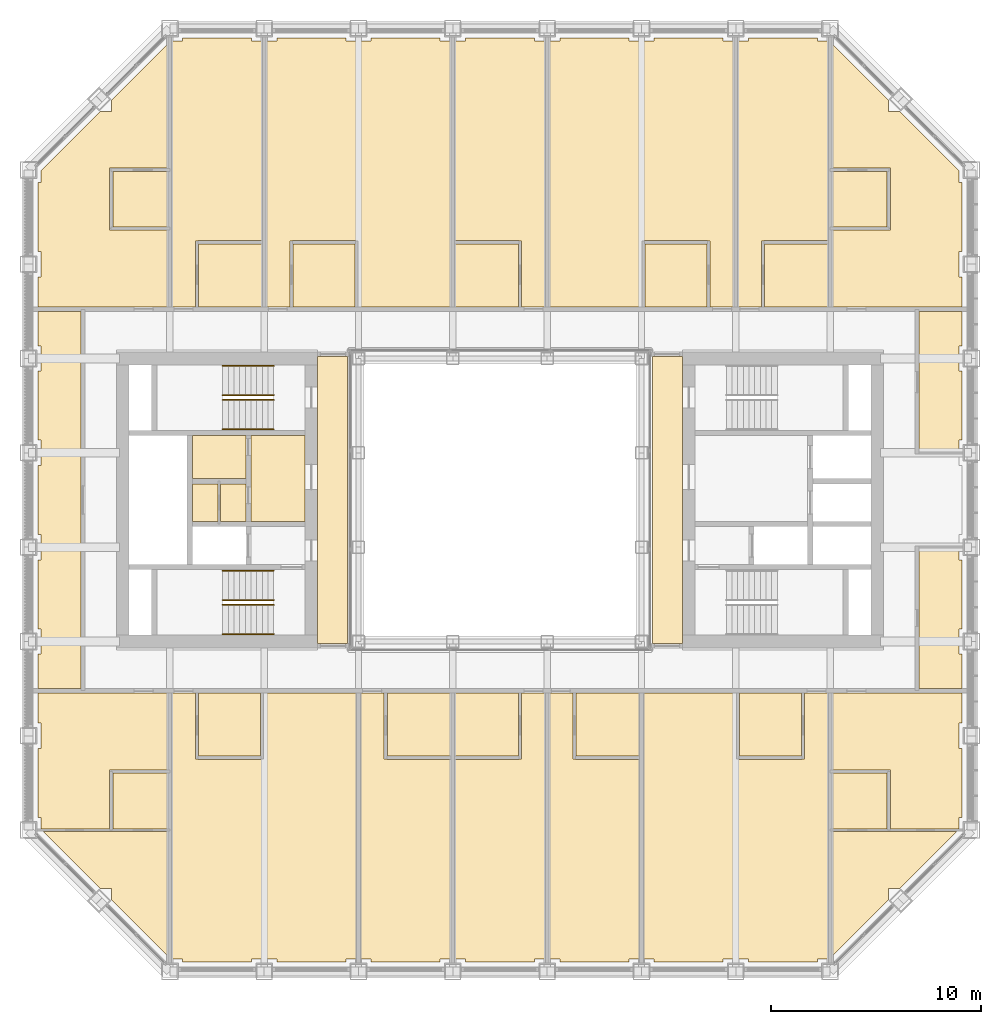
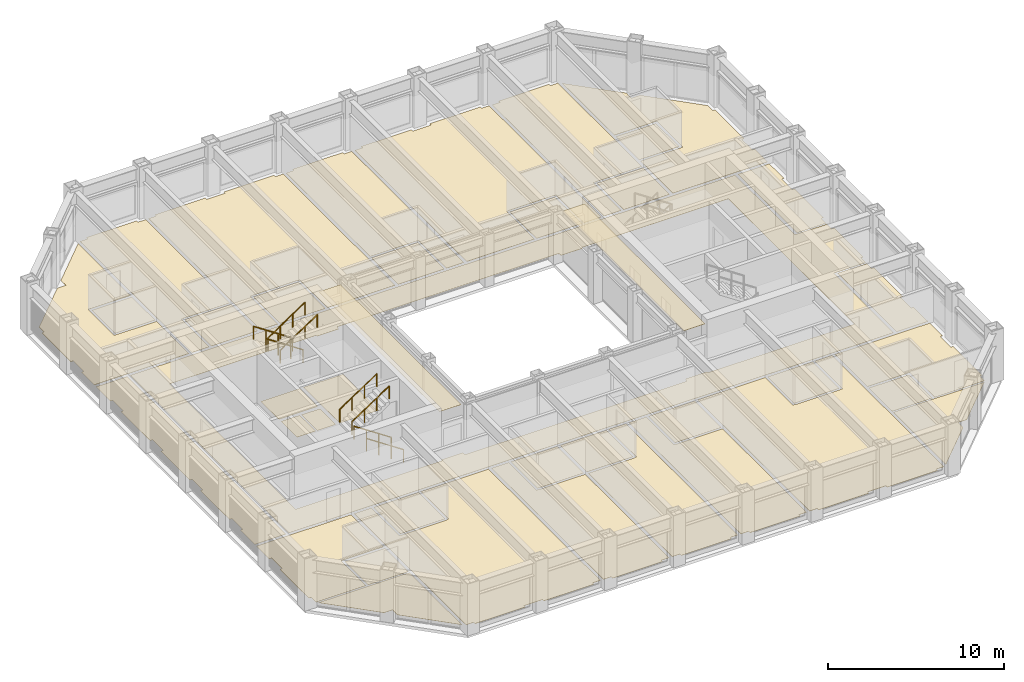
# One storey, part 15 of 17: 8 railings, 5 coverings.
"""IFC4 building model written with IfcOpenShell, lengths in metres."""

from ifc_helpers import new_model, si_unit, direction, frame, origin, origin_2d, place, context, subcontext, project, spatial, line, indexed_curve, circle, outline, extrude, material, layer, layer_set, type_object, element, save


model = new_model("IFC4")

# Units and contexts
model_context = context("Model", 3, precision=1e-05, world=origin(), true_north=direction((0.0, 1.0)))
body_context = subcontext(model_context, "Body", "Model", "MODEL_VIEW")
ifc_project = project(units=[si_unit("LENGTHUNIT", "METRE"), si_unit("AREAUNIT", "SQUARE_METRE"), si_unit("VOLUMEUNIT", "CUBIC_METRE"), si_unit("PLANEANGLEUNIT", "RADIAN"), si_unit("MASSUNIT", "GRAM", prefix="KILO")], contexts=[model_context])

# Site, building, storey
site_placement = place(None, origin())
site = spatial("IfcSite", under=ifc_project, at=site_placement, CompositionType="ELEMENT")
building_placement = place(site_placement, origin())
building = spatial("IfcBuilding", under=site, at=building_placement, Name="Msasa Ring Tower", CompositionType="ELEMENT")
storey_placement = place(building_placement, frame((0.0, 0.0, 154.39990234375)))
storey = spatial("IfcBuildingStorey", under=building, at=storey_placement, Name="L40", CompositionType="ELEMENT", Elevation=154.39990234375)

# Coverings
ifc_material_1 = material(Name="Gypsum plasterboard on a steel suspension grid", Category="steel")
ifc_layer_1 = layer(ifc_material_1, 0.014892578125)
ifc_layer_set_1 = layer_set([ifc_layer_1], Name="C1 SUSPENDED PLASTERBOARD CEILING 15")
covering_type_1 = type_object("IfcCoveringType", Name="C1 SUSPENDED PLASTERBOARD CEILING 15", PredefinedType="CEILING", material=ifc_layer_set_1)
covering_1_placement = place(storey_placement, frame((0.0, 0.0, 3.2001953125)))
element("IfcCovering", 1, at=covering_1_placement, inside=storey, type_object=covering_type_1, Name="Suspended Plasterboard Ceiling 15 public rooms L40", PredefinedType="CEILING", context=body_context, shape_type="SweptSolid", body=[
    extrude(outline(indexed_curve([(-7.280029296875, 6.849609375), (-7.280029296875, -6.849609375), (-8.699462890625, -6.849609375), (-8.699462890625, 6.849609375)], segments=[line(1, 2, 3, 4, 1)], self_intersect=False)), origin(), (0.0, 0.0, 1.0), 0.014892578125),
    extrude(outline(indexed_curve([(8.699462890625, 6.849609375), (8.699462890625, -6.849609375), (7.280029296875, -6.849609375), (7.280029296875, 6.849609375)], segments=[line(1, 2, 3, 4, 1)], self_intersect=False)), origin(), (0.0, 0.0, 1.0), 0.014892578125),
])
ifc_material_2 = material(Name="Wool-blend carpet on felt underlay", Category="textile")
ifc_layer_2 = layer(ifc_material_2, 0.011962890625)
ifc_layer_set_2 = layer_set([ifc_layer_2], Name="F2 CARPET ON UNDERLAY 12")
covering_type_2 = type_object("IfcCoveringType", Name="F2 CARPET ON UNDERLAY 12", PredefinedType="FLOORING", material=ifc_layer_set_2)
covering_2_placement = place(storey_placement, origin())
element("IfcCovering", 2, at=covering_2_placement, inside=storey, type_object=covering_type_2, Name="Carpet On Underlay 12 L40", PredefinedType="FLOORING", context=body_context, shape_type="SweptSolid", body=[
    extrude(outline(indexed_curve([(-22.049560546875, -11.8505859375), (-21.8994140625, -11.8505859375), (-21.8994140625, -10.6494140625), (-22.049560546875, -10.6494140625), (-22.049560546875, -9.200439453125), (-15.8505859375, -9.200439453125), (-15.8505859375, -12.869384765625), (-18.630615234375, -12.869384765625), (-18.630615234375, -15.694580078125), (-21.8994140625, -15.694580078125), (-21.8994140625, -15.1494140625), (-22.049560546875, -15.1494140625)], segments=[line(1, 2, 3, 4, 5, 6, 7, 8, 9, 10, 11, 12, 1)], self_intersect=False)), origin(), (0.0, 0.0, 1.0), 0.01220703125),
    extrude(outline(indexed_curve([(-18.5244140625, -19.08837890625), (-18.5244140625, -18.5244140625), (-19.08837890625, -18.5244140625), (-21.807373046875, -15.805419921875), (-15.8505859375, -15.805419921875), (-15.8505859375, -21.762451171875)], segments=[line(1, 2, 3, 4, 5, 6, 1)], self_intersect=False)), origin(), (0.0, 0.0, 1.0), 0.01220703125),
    extrude(outline(indexed_curve([(19.799560546875, -2.199951171875), (19.799560546875, -8.99951171875), (-19.799560546875, -8.99951171875), (-19.799560546875, 8.99951171875), (19.799560546875, 8.99951171875), (19.799560546875, 2.199462890625), (21.8994140625, 2.199462890625), (21.8994140625, 1.6494140625), (22.049560546875, 1.6494140625), (22.049560546875, -1.6494140625), (21.8994140625, -1.6494140625), (21.8994140625, -2.199462890625)], segments=[line(1, 2, 3, 4, 5, 6, 7, 8, 9, 10, 11, 12, 1)], self_intersect=False), holes=[indexed_curve([(18.300537109375, -7.150390625), (18.300537109375, 7.150390625), (8.699462890625, 7.150390625), (8.699462890625, 7.050537109375), (7.280029296875, 7.050537109375), (7.280517578125, 7.23046875), (7.22998046875, 7.23046875), (7.22998046875, 7.280029296875), (-7.22998046875, 7.280029296875), (-7.22998046875, 7.23046875), (-7.280517578125, 7.23046875), (-7.280029296875, 7.050537109375), (-8.699462890625, 7.050537109375), (-8.699462890625, 7.150390625), (-18.300537109375, 7.150390625), (-18.300537109375, -7.150390625), (-8.699462890625, -7.150390625), (-8.699462890625, -7.050537109375), (-7.280029296875, -7.050537109375), (-7.280517578125, -7.23046875), (-7.22998046875, -7.23046875), (-7.22998046875, -7.280029296875), (7.22998046875, -7.280029296875), (7.22998046875, -7.23046875), (7.280517578125, -7.23046875), (7.280029296875, -7.050537109375), (8.699462890625, -7.050537109375), (8.699462890625, -7.150390625)], segments=[line(1, 2, 3, 4, 5, 6, 7, 8, 9, 10, 11, 12, 13, 14, 15, 16, 17, 18, 19, 20, 21, 22, 23, 24, 25, 26, 27, 28, 1)], self_intersect=False)]), origin(), (0.0, 0.0, 1.0), 0.01220703125),
    extrude(outline(indexed_curve([(-15.6494140625, 9.200439453125), (-15.6494140625, 21.8994140625), (-15.1494140625, 21.8994140625), (-15.1494140625, 22.049560546875), (-11.8505859375, 22.049560546875), (-11.8505859375, 21.8994140625), (-11.3505859375, 21.8994140625), (-11.3505859375, 12.37548828125), (-14.39990234375, 12.37548828125), (-14.39990234375, 12.3505859375), (-14.525390625, 12.35009765625), (-14.525390625, 9.200439453125)], segments=[line(1, 2, 3, 4, 5, 6, 7, 8, 9, 10, 11, 12, 1)], self_intersect=False)), origin(), (0.0, 0.0, 1.0), 0.01220703125),
    extrude(outline(indexed_curve([(-14.674560546875, 0.7744140625), (-13.45556640625, 0.7744140625), (-13.45556640625, -1.0244140625), (-14.674560546875, -1.0244140625)], segments=[line(1, 2, 3, 4, 1)], self_intersect=False)), origin(), (0.0, 0.0, 1.0), 0.01220703125),
    extrude(outline(indexed_curve([(-6.6494140625, -9.200439453125), (-5.525390625, -9.200439453125), (-5.525390625, -12.35009765625), (-5.39990234375, -12.3505859375), (-5.39990234375, -12.37548828125), (-2.3505859375, -12.37548828125), (-2.3505859375, -21.8994140625), (-2.8505859375, -21.8994140625), (-2.8505859375, -22.049560546875), (-6.1494140625, -22.049560546875), (-6.1494140625, -21.8994140625), (-6.6494140625, -21.8994140625)], segments=[line(1, 2, 3, 4, 5, 6, 7, 8, 9, 10, 11, 12, 1)], self_intersect=False)), origin(), (0.0, 0.0, 1.0), 0.01220703125),
    extrude(outline(indexed_curve([(2.1494140625, -21.8994140625), (1.6494140625, -21.8994140625), (1.6494140625, -22.049560546875), (-1.6494140625, -22.049560546875), (-1.6494140625, -21.8994140625), (-2.1494140625, -21.8994140625), (-2.1494140625, -12.37548828125), (0.89990234375, -12.37548828125), (0.89990234375, -12.3505859375), (1.025390625, -12.35009765625), (1.025390625, -9.200439453125), (2.1494140625, -9.200439453125)], segments=[line(1, 2, 3, 4, 5, 6, 7, 8, 9, 10, 11, 12, 1)], self_intersect=False)), origin(), (0.0, 0.0, 1.0), 0.01220703125),
    extrude(outline(indexed_curve([(2.1494140625, 9.200439453125), (1.025390625, 9.200439453125), (1.025390625, 12.35009765625), (0.89990234375, 12.3505859375), (0.89990234375, 12.37548828125), (-2.1494140625, 12.37548828125), (-2.1494140625, 21.8994140625), (-1.6494140625, 21.8994140625), (-1.6494140625, 22.049560546875), (1.6494140625, 22.049560546875), (1.6494140625, 21.8994140625), (2.1494140625, 21.8994140625)], segments=[line(1, 2, 3, 4, 5, 6, 7, 8, 9, 10, 11, 12, 1)], self_intersect=False)), origin(), (0.0, 0.0, 1.0), 0.01220703125),
    extrude(outline(indexed_curve([(2.3505859375, -9.200439453125), (3.474609375, -9.200439453125), (3.474609375, -12.35009765625), (3.60009765625, -12.3505859375), (3.60009765625, -12.37548828125), (6.6494140625, -12.37548828125), (6.6494140625, -21.8994140625), (6.1494140625, -21.8994140625), (6.1494140625, -22.049560546875), (2.8505859375, -22.049560546875), (2.8505859375, -21.8994140625), (2.3505859375, -21.8994140625)], segments=[line(1, 2, 3, 4, 5, 6, 7, 8, 9, 10, 11, 12, 1)], self_intersect=False)), origin(), (0.0, 0.0, 1.0), 0.01220703125),
    extrude(outline(indexed_curve([(11.3505859375, 9.200439453125), (11.3505859375, 21.8994140625), (11.8505859375, 21.8994140625), (11.8505859375, 22.049560546875), (15.1494140625, 22.049560546875), (15.1494140625, 21.8994140625), (15.6494140625, 21.8994140625), (15.6494140625, 12.37548828125), (12.60009765625, 12.37548828125), (12.60009765625, 12.3505859375), (12.474609375, 12.35009765625), (12.474609375, 9.200439453125)], segments=[line(1, 2, 3, 4, 5, 6, 7, 8, 9, 10, 11, 12, 1)], self_intersect=False)), origin(), (0.0, 0.0, 1.0), 0.01220703125),
    extrude(outline(indexed_curve([(19.08837890625, -18.5244140625), (18.5244140625, -18.5244140625), (18.5244140625, -19.08837890625), (15.8505859375, -21.762451171875), (15.8505859375, -15.805419921875), (21.807373046875, -15.805419921875)], segments=[line(1, 2, 3, 4, 5, 6, 1)], self_intersect=False)), origin(), (0.0, 0.0, 1.0), 0.01220703125),
    extrude(outline(indexed_curve([(15.8505859375, -12.869384765625), (15.8505859375, -9.200439453125), (22.049560546875, -9.200439453125), (22.049560546875, -10.6494140625), (21.8994140625, -10.6494140625), (21.8994140625, -11.8505859375), (22.049560546875, -11.8505859375), (22.049560546875, -15.1494140625), (21.8994140625, -15.1494140625), (21.8994140625, -15.694580078125), (18.630615234375, -15.694580078125), (18.630615234375, -12.869384765625)], segments=[line(1, 2, 3, 4, 5, 6, 7, 8, 9, 10, 11, 12, 1)], self_intersect=False)), origin(), (0.0, 0.0, 1.0), 0.01220703125),
])
ifc_material_3 = material(Name="Engineered oak boards on an acoustic underlay", Category="wood")
ifc_layer_3 = layer(ifc_material_3, 0.01806640625)
ifc_layer_set_3 = layer_set([ifc_layer_3], Name="F3 ENGINEERED TIMBER ON ACOUSTIC UNDERLAY 18")
covering_type_3 = type_object("IfcCoveringType", Name="F3 ENGINEERED TIMBER ON ACOUSTIC UNDERLAY 18", PredefinedType="FLOORING", material=ifc_layer_set_3)
covering_3_placement = place(storey_placement, origin())
element("IfcCovering", 3, at=covering_3_placement, inside=storey, type_object=covering_type_3, Name="Engineered Timber On Acoustic Underlay 18 L40", PredefinedType="FLOORING", context=body_context, shape_type="SweptSolid", body=[
    extrude(outline(indexed_curve([(-18.630615234375, 12.869384765625), (-15.8505859375, 12.869384765625), (-15.8505859375, 9.200439453125), (-22.049560546875, 9.200439453125), (-22.049560546875, 10.6494140625), (-21.8994140625, 10.6494140625), (-21.8994140625, 11.8505859375), (-22.049560546875, 11.8505859375), (-22.049560546875, 15.1494140625), (-21.8994140625, 15.1494140625), (-21.8994140625, 15.71337890625), (-19.08837890625, 18.5244140625), (-18.5244140625, 18.5244140625), (-18.5244140625, 19.08837890625), (-15.8505859375, 21.762451171875), (-15.8505859375, 15.83056640625), (-18.630615234375, 15.83056640625)], segments=[line(1, 2, 3, 4, 5, 6, 7, 8, 9, 10, 11, 12, 13, 14, 15, 16, 17, 1)], self_intersect=False)), origin(), (0.0, 0.0, 1.0), 0.01806640625),
    extrude(outline(indexed_curve([(-14.525390625, -9.200439453125), (-14.525390625, -12.35009765625), (-14.39990234375, -12.3505859375), (-14.39990234375, -12.37548828125), (-11.39990234375, -12.37548828125), (-11.39990234375, -12.3505859375), (-11.2744140625, -12.35009765625), (-11.2744140625, -9.200439453125), (-6.8505859375, -9.200439453125), (-6.8505859375, -21.8994140625), (-7.3505859375, -21.8994140625), (-7.3505859375, -22.049560546875), (-10.6494140625, -22.049560546875), (-10.6494140625, -21.8994140625), (-11.8505859375, -21.8994140625), (-11.8505859375, -22.049560546875), (-15.1494140625, -22.049560546875), (-15.1494140625, -21.8994140625), (-15.6494140625, -21.8994140625), (-15.6494140625, -9.200439453125)], segments=[line(1, 2, 3, 4, 5, 6, 7, 8, 9, 10, 11, 12, 13, 14, 15, 16, 17, 18, 19, 20, 1)], self_intersect=False)), origin(), (0.0, 0.0, 1.0), 0.01806640625),
    extrude(outline(indexed_curve([(-6.89990234375, 12.3505859375), (-6.89990234375, 12.37548828125), (-9.89990234375, 12.37548828125), (-9.89990234375, 12.3505859375), (-10.025390625, 12.35009765625), (-10.025390625, 9.200439453125), (-11.1494140625, 9.200439453125), (-11.1494140625, 21.8994140625), (-10.6494140625, 21.8994140625), (-10.6494140625, 22.049560546875), (-7.3505859375, 22.049560546875), (-7.3505859375, 21.8994140625), (-6.1494140625, 21.8994140625), (-6.1494140625, 22.049560546875), (-2.8505859375, 22.049560546875), (-2.8505859375, 21.8994140625), (-2.3505859375, 21.8994140625), (-2.3505859375, 9.200439453125), (-6.7744140625, 9.200439453125), (-6.7744140625, 12.35009765625)], segments=[line(1, 2, 3, 4, 5, 6, 7, 8, 9, 10, 11, 12, 13, 14, 15, 16, 17, 18, 19, 20, 1)], self_intersect=False)), origin(), (0.0, 0.0, 1.0), 0.01806640625),
    extrude(outline(indexed_curve([(9.89990234375, 12.3505859375), (9.89990234375, 12.37548828125), (6.89990234375, 12.37548828125), (6.89990234375, 12.3505859375), (6.7744140625, 12.35009765625), (6.7744140625, 9.200439453125), (2.3505859375, 9.200439453125), (2.3505859375, 21.8994140625), (2.8505859375, 21.8994140625), (2.8505859375, 22.049560546875), (6.1494140625, 22.049560546875), (6.1494140625, 21.8994140625), (7.3505859375, 21.8994140625), (7.3505859375, 22.049560546875), (10.6494140625, 22.049560546875), (10.6494140625, 21.8994140625), (11.1494140625, 21.8994140625), (11.1494140625, 9.200439453125), (10.025390625, 9.200439453125), (10.025390625, 12.35009765625)], segments=[line(1, 2, 3, 4, 5, 6, 7, 8, 9, 10, 11, 12, 13, 14, 15, 16, 17, 18, 19, 20, 1)], self_intersect=False)), origin(), (0.0, 0.0, 1.0), 0.01806640625),
    extrude(outline(indexed_curve([(11.2744140625, -12.35009765625), (11.39990234375, -12.3505859375), (11.39990234375, -12.37548828125), (14.39990234375, -12.37548828125), (14.39990234375, -12.3505859375), (14.525390625, -12.35009765625), (14.525390625, -9.200439453125), (15.6494140625, -9.200439453125), (15.6494140625, -21.8994140625), (15.1494140625, -21.8994140625), (15.1494140625, -22.049560546875), (11.8505859375, -22.049560546875), (11.8505859375, -21.8994140625), (10.6494140625, -21.8994140625), (10.6494140625, -22.049560546875), (7.3505859375, -22.049560546875), (7.3505859375, -21.8994140625), (6.8505859375, -21.8994140625), (6.8505859375, -9.200439453125), (11.2744140625, -9.200439453125)], segments=[line(1, 2, 3, 4, 5, 6, 7, 8, 9, 10, 11, 12, 13, 14, 15, 16, 17, 18, 19, 20, 1)], self_intersect=False)), origin(), (0.0, 0.0, 1.0), 0.01806640625),
    extrude(outline(indexed_curve([(15.8505859375, 15.83056640625), (15.8505859375, 21.762451171875), (18.5244140625, 19.08837890625), (18.5244140625, 18.5244140625), (19.08837890625, 18.5244140625), (21.8994140625, 15.71337890625), (21.8994140625, 15.1494140625), (22.049560546875, 15.1494140625), (22.049560546875, 11.8505859375), (21.8994140625, 11.8505859375), (21.8994140625, 10.6494140625), (22.049560546875, 10.6494140625), (22.049560546875, 9.200439453125), (15.8505859375, 9.200439453125), (15.8505859375, 12.869384765625), (18.630615234375, 12.869384765625), (18.630615234375, 15.83056640625)], segments=[line(1, 2, 3, 4, 5, 6, 7, 8, 9, 10, 11, 12, 13, 14, 15, 16, 17, 1)], self_intersect=False)), origin(), (0.0, 0.0, 1.0), 0.01806640625),
])
ifc_material_4 = material(Name="Porcelain floor tiles in adhesive", Category="ceramic")
ifc_layer_4 = layer(ifc_material_4, 0.010009765625)
ifc_layer_set_4 = layer_set([ifc_layer_4], Name="F4 PORCELAIN TILE ON ADHESIVE 10")
covering_type_4 = type_object("IfcCoveringType", Name="F4 PORCELAIN TILE ON ADHESIVE 10", PredefinedType="FLOORING", material=ifc_layer_set_4)
covering_4_placement = place(storey_placement, origin())
element("IfcCovering", 4, at=covering_4_placement, inside=storey, type_object=covering_type_4, Name="Porcelain Tile On Adhesive 10 L40", PredefinedType="FLOORING", context=body_context, shape_type="SweptSolid", body=[
    extrude(outline(indexed_curve([(-18.469482421875, -13.030517578125), (-15.8505859375, -13.030517578125), (-15.8505859375, -15.694580078125), (-18.469482421875, -15.694580078125)], segments=[line(1, 2, 3, 4, 1)], self_intersect=False)), origin(), (0.0, 0.0, 1.0), 0.010009765625),
    extrude(outline(indexed_curve([(-15.8505859375, 15.66943359375), (-15.8505859375, 13.030517578125), (-18.469482421875, 13.030517578125), (-18.469482421875, 15.66943359375)], segments=[line(1, 2, 3, 4, 1)], self_intersect=False)), origin(), (0.0, 0.0, 1.0), 0.010009765625),
    extrude(outline(indexed_curve([(-11.425537109375, -9.200439453125), (-11.425537109375, -12.224609375), (-14.37451171875, -12.224609375), (-14.37451171875, -9.200439453125)], segments=[line(1, 2, 3, 4, 1)], self_intersect=False)), origin(), (0.0, 0.0, 1.0), 0.010009765625),
    extrude(outline(indexed_curve([(-11.3505859375, 9.200439453125), (-14.37451171875, 9.200439453125), (-14.37451171875, 12.224609375), (-11.3505859375, 12.224609375)], segments=[line(1, 2, 3, 4, 1)], self_intersect=False)), origin(), (0.0, 0.0, 1.0), 0.010009765625),
    extrude(outline(indexed_curve([(-9.87451171875, 9.200439453125), (-9.87451171875, 12.224609375), (-6.925537109375, 12.224609375), (-6.925537109375, 9.200439453125)], segments=[line(1, 2, 3, 4, 1)], self_intersect=False)), origin(), (0.0, 0.0, 1.0), 0.010009765625),
    extrude(outline(indexed_curve([(-2.3505859375, -9.200439453125), (-2.3505859375, -12.224609375), (-5.37451171875, -12.224609375), (-5.37451171875, -9.200439453125)], segments=[line(1, 2, 3, 4, 1)], self_intersect=False)), origin(), (0.0, 0.0, 1.0), 0.010009765625),
    extrude(outline(indexed_curve([(0.87451171875, -9.200439453125), (0.87451171875, -12.224609375), (-2.1494140625, -12.224609375), (-2.1494140625, -9.200439453125)], segments=[line(1, 2, 3, 4, 1)], self_intersect=False)), origin(), (0.0, 0.0, 1.0), 0.010009765625),
    extrude(outline(indexed_curve([(-2.1494140625, 9.200439453125), (-2.1494140625, 12.224609375), (0.87451171875, 12.224609375), (0.87451171875, 9.200439453125)], segments=[line(1, 2, 3, 4, 1)], self_intersect=False)), origin(), (0.0, 0.0, 1.0), 0.010009765625),
    extrude(outline(indexed_curve([(6.6494140625, -9.200439453125), (6.6494140625, -12.224609375), (3.62548828125, -12.224609375), (3.62548828125, -9.200439453125)], segments=[line(1, 2, 3, 4, 1)], self_intersect=False)), origin(), (0.0, 0.0, 1.0), 0.010009765625),
    extrude(outline(indexed_curve([(6.925537109375, 9.200439453125), (6.925537109375, 12.224609375), (9.87451171875, 12.224609375), (9.87451171875, 9.200439453125)], segments=[line(1, 2, 3, 4, 1)], self_intersect=False)), origin(), (0.0, 0.0, 1.0), 0.010009765625),
    extrude(outline(indexed_curve([(14.37451171875, -9.200439453125), (14.37451171875, -12.224609375), (11.425537109375, -12.224609375), (11.425537109375, -9.200439453125)], segments=[line(1, 2, 3, 4, 1)], self_intersect=False)), origin(), (0.0, 0.0, 1.0), 0.010009765625),
    extrude(outline(indexed_curve([(15.6494140625, 9.200439453125), (12.62548828125, 9.200439453125), (12.62548828125, 12.224609375), (15.6494140625, 12.224609375)], segments=[line(1, 2, 3, 4, 1)], self_intersect=False)), origin(), (0.0, 0.0, 1.0), 0.010009765625),
    extrude(outline(indexed_curve([(15.8505859375, -13.030517578125), (18.469482421875, -13.030517578125), (18.469482421875, -15.694580078125), (15.8505859375, -15.694580078125)], segments=[line(1, 2, 3, 4, 1)], self_intersect=False)), origin(), (0.0, 0.0, 1.0), 0.010009765625),
    extrude(outline(indexed_curve([(18.469482421875, 15.66943359375), (18.469482421875, 13.030517578125), (15.8505859375, 13.030517578125), (15.8505859375, 15.66943359375)], segments=[line(1, 2, 3, 4, 1)], self_intersect=False)), origin(), (0.0, 0.0, 1.0), 0.010009765625),
])
ifc_material_5 = material(Name="Welded vinyl safety sheet flooring", Category="vinyl")
ifc_layer_5 = layer(ifc_material_5, 0.0029296875)
ifc_layer_set_5 = layer_set([ifc_layer_5], Name="F5 RESILIENT SHEET FLOORING 3")
covering_type_5 = type_object("IfcCoveringType", Name="F5 RESILIENT SHEET FLOORING 3", PredefinedType="FLOORING", material=ifc_layer_set_5)
covering_5_placement = place(storey_placement, origin())
element("IfcCovering", 5, at=covering_5_placement, inside=storey, type_object=covering_type_5, Name="Resilient Sheet Flooring 3 L40", PredefinedType="FLOORING", context=body_context, shape_type="SweptSolid", body=[
    extrude(outline(indexed_curve([(-20.00048828125, -8.99951171875), (-22.049560546875, -8.99951171875), (-22.049560546875, -7.3505859375), (-21.8994140625, -7.3505859375), (-21.8994140625, -6.1494140625), (-22.049560546875, -6.1494140625), (-22.049560546875, -2.8505859375), (-21.8994140625, -2.8505859375), (-21.8994140625, -1.6494140625), (-22.049560546875, -1.6494140625), (-22.049560546875, 1.6494140625), (-21.8994140625, 1.6494140625), (-21.8994140625, 2.8505859375), (-22.049560546875, 2.8505859375), (-22.049560546875, 6.1494140625), (-21.8994140625, 6.1494140625), (-21.8994140625, 7.3505859375), (-22.049560546875, 7.3505859375), (-22.049560546875, 8.99951171875), (-20.00048828125, 8.99951171875)], segments=[line(1, 2, 3, 4, 5, 6, 7, 8, 9, 10, 11, 12, 13, 14, 15, 16, 17, 18, 19, 20, 1)], self_intersect=False)), origin(), (0.0, 0.0, 1.0), 0.003173828125),
    extrude(outline(indexed_curve([(-14.674560546875, 3.074462890625), (-12.12548828125, 3.074462890625), (-12.12548828125, 1.025390625), (-14.674560546875, 1.025390625)], segments=[line(1, 2, 3, 4, 1)], self_intersect=False)), origin(), (0.0, 0.0, 1.0), 0.003173828125),
    extrude(outline(indexed_curve([(-13.344482421875, 0.7744140625), (-12.12548828125, 0.7744140625), (-12.12548828125, -1.0244140625), (-13.344482421875, -1.0244140625)], segments=[line(1, 2, 3, 4, 1)], self_intersect=False)), origin(), (0.0, 0.0, 1.0), 0.003173828125),
    extrude(outline(indexed_curve([(-11.87451171875, -1.0244140625), (-11.87451171875, 3.074462890625), (-9.300537109375, 3.074462890625), (-9.300537109375, -1.0244140625)], segments=[line(1, 2, 3, 4, 1)], self_intersect=False)), origin(), (0.0, 0.0, 1.0), 0.003173828125),
    extrude(outline(indexed_curve([(22.049560546875, -6.1494140625), (21.8994140625, -6.1494140625), (21.8994140625, -7.3505859375), (22.049560546875, -7.3505859375), (22.049560546875, -8.99951171875), (20.00048828125, -8.99951171875), (20.00048828125, -2.305419921875), (21.8994140625, -2.305419921875), (21.8994140625, -2.8505859375), (22.049560546875, -2.8505859375)], segments=[line(1, 2, 3, 4, 5, 6, 7, 8, 9, 10, 1)], self_intersect=False)), origin(), (0.0, 0.0, 1.0), 0.003173828125),
    extrude(outline(indexed_curve([(20.00048828125, 2.305419921875), (20.00048828125, 8.99951171875), (22.049560546875, 8.99951171875), (22.049560546875, 7.3505859375), (21.8994140625, 7.3505859375), (21.8994140625, 6.1494140625), (22.049560546875, 6.1494140625), (22.049560546875, 2.8505859375), (21.8994140625, 2.8505859375), (21.8994140625, 2.305419921875)], segments=[line(1, 2, 3, 4, 5, 6, 7, 8, 9, 10, 1)], self_intersect=False)), origin(), (0.0, 0.0, 1.0), 0.003173828125),
])

# Railings
ifc_material_6 = material(Name="Stainless steel", Category="steel")
railing_type = type_object("IfcRailingType", Name="HR1 HANDRAIL 900", PredefinedType="HANDRAIL", material=ifc_material_6)
for number, where, name in (
    (6, (-10.800048828125, -6.39990234375, 0.18017578125), "Handrail stair SWA L40 1"),
    (7, (-10.800048828125, -5.0, 0.18017578125), "Handrail stair SWA L40 2"),
):
    element("IfcRailing", number, at=place(storey_placement, frame(where)), inside=storey, type_object=railing_type, Name=name, PredefinedType="HANDRAIL", context=body_context, shape_type="SweptSolid", body=[
        extrude(circle(Radius=0.02392578125, at=origin_2d()), frame((0.0, 0.0, 0.8759765625), z_axis=(-0.832063155534, 0.0, 0.554680903946), x_axis=(0.0, -1.0, 0.0)), (0.0, 0.0, 1.0), 2.92041015625),
        extrude(circle(Radius=0.02099609375, at=origin_2d()), origin(), (0.0, 0.0, 1.0), 0.851806640625),
        extrude(circle(Radius=0.02099609375, at=origin_2d()), frame((-0.81005859375, 0.0, 0.5400390625)), (0.0, 0.0, 1.0), 0.851806640625),
        extrude(circle(Radius=0.02099609375, at=origin_2d()), frame((-1.619873046875, 0.0, 1.079833984375)), (0.0, 0.0, 1.0), 0.851806640625),
        extrude(circle(Radius=0.02099609375, at=origin_2d()), frame((-2.429931640625, 0.0, 1.619873046875)), (0.0, 0.0, 1.0), 0.851806640625),
    ])
for number, where, name in (
    (8, (-13.22998046875, -4.77490234375, 1.97998046875), "Handrail stair SWA L40 3"),
    (9, (-13.22998046875, -3.375, 1.97998046875), "Handrail stair SWA L40 4"),
):
    element("IfcRailing", number, at=place(storey_placement, frame(where)), inside=storey, type_object=railing_type, Name=name, PredefinedType="HANDRAIL", context=body_context, shape_type="SweptSolid", body=[
        extrude(circle(Radius=0.02392578125, at=origin_2d()), frame((0.0, 0.0, 0.8759765625), z_axis=(0.832024571796, 0.0, 0.554738778101), x_axis=(0.0, 1.0, 0.0)), (0.0, 0.0, 1.0), 2.92041015625),
        extrude(circle(Radius=0.02099609375, at=origin_2d()), origin(), (0.0, 0.0, 1.0), 0.851806640625),
        extrude(circle(Radius=0.02099609375, at=origin_2d()), frame((0.81005859375, 0.0, 0.5400390625)), (0.0, 0.0, 1.0), 0.851806640625),
        extrude(circle(Radius=0.02099609375, at=origin_2d()), frame((1.619873046875, 0.0, 1.080078125)), (0.0, 0.0, 1.0), 0.851806640625),
        extrude(circle(Radius=0.02099609375, at=origin_2d()), frame((2.429931640625, 0.0, 1.6201171875)), (0.0, 0.0, 1.0), 0.851806640625),
    ])
for number, where, name in (
    (10, (-10.800048828125, 5.0, 0.18017578125), "Handrail stair SWB L40 1"),
    (11, (-10.800048828125, 6.39990234375, 0.18017578125), "Handrail stair SWB L40 2"),
):
    element("IfcRailing", number, at=place(storey_placement, frame(where)), inside=storey, type_object=railing_type, Name=name, PredefinedType="HANDRAIL", context=body_context, shape_type="SweptSolid", body=[
        extrude(circle(Radius=0.02392578125, at=origin_2d()), frame((0.0, 0.0, 0.8759765625), z_axis=(-0.832063155534, 0.0, 0.554680903946), x_axis=(0.0, -1.0, 0.0)), (0.0, 0.0, 1.0), 2.92041015625),
        extrude(circle(Radius=0.02099609375, at=origin_2d()), origin(), (0.0, 0.0, 1.0), 0.851806640625),
        extrude(circle(Radius=0.02099609375, at=origin_2d()), frame((-0.81005859375, 0.0, 0.5400390625)), (0.0, 0.0, 1.0), 0.851806640625),
        extrude(circle(Radius=0.02099609375, at=origin_2d()), frame((-1.619873046875, 0.0, 1.079833984375)), (0.0, 0.0, 1.0), 0.851806640625),
        extrude(circle(Radius=0.02099609375, at=origin_2d()), frame((-2.429931640625, 0.0, 1.619873046875)), (0.0, 0.0, 1.0), 0.851806640625),
    ])
for number, where, name in (
    (12, (-13.22998046875, 3.375, 1.97998046875), "Handrail stair SWB L40 3"),
    (13, (-13.22998046875, 4.77490234375, 1.97998046875), "Handrail stair SWB L40 4"),
):
    element("IfcRailing", number, at=place(storey_placement, frame(where)), inside=storey, type_object=railing_type, Name=name, PredefinedType="HANDRAIL", context=body_context, shape_type="SweptSolid", body=[
        extrude(circle(Radius=0.02392578125, at=origin_2d()), frame((0.0, 0.0, 0.8759765625), z_axis=(0.832024571796, 0.0, 0.554738778101), x_axis=(0.0, 1.0, 0.0)), (0.0, 0.0, 1.0), 2.92041015625),
        extrude(circle(Radius=0.02099609375, at=origin_2d()), origin(), (0.0, 0.0, 1.0), 0.851806640625),
        extrude(circle(Radius=0.02099609375, at=origin_2d()), frame((0.81005859375, 0.0, 0.5400390625)), (0.0, 0.0, 1.0), 0.851806640625),
        extrude(circle(Radius=0.02099609375, at=origin_2d()), frame((1.619873046875, 0.0, 1.080078125)), (0.0, 0.0, 1.0), 0.851806640625),
        extrude(circle(Radius=0.02099609375, at=origin_2d()), frame((2.429931640625, 0.0, 1.6201171875)), (0.0, 0.0, 1.0), 0.851806640625),
    ])

save(model, "model.ifc")
